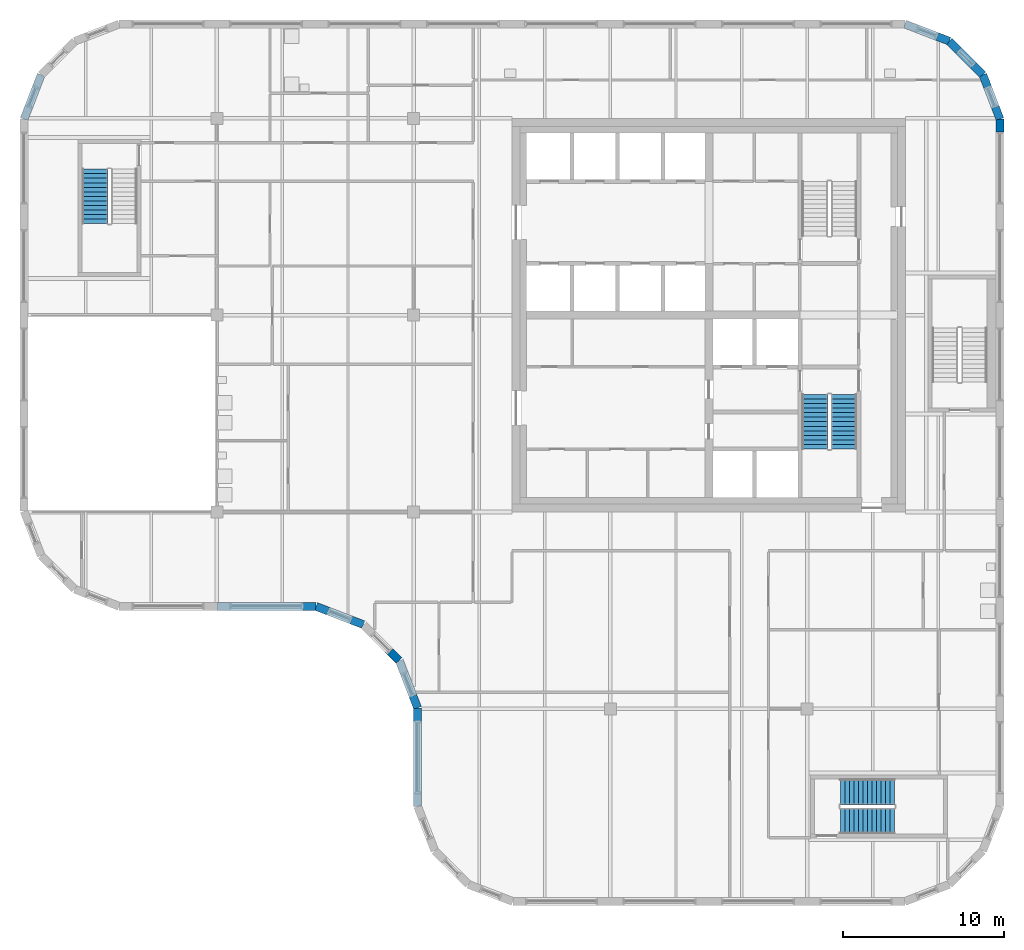
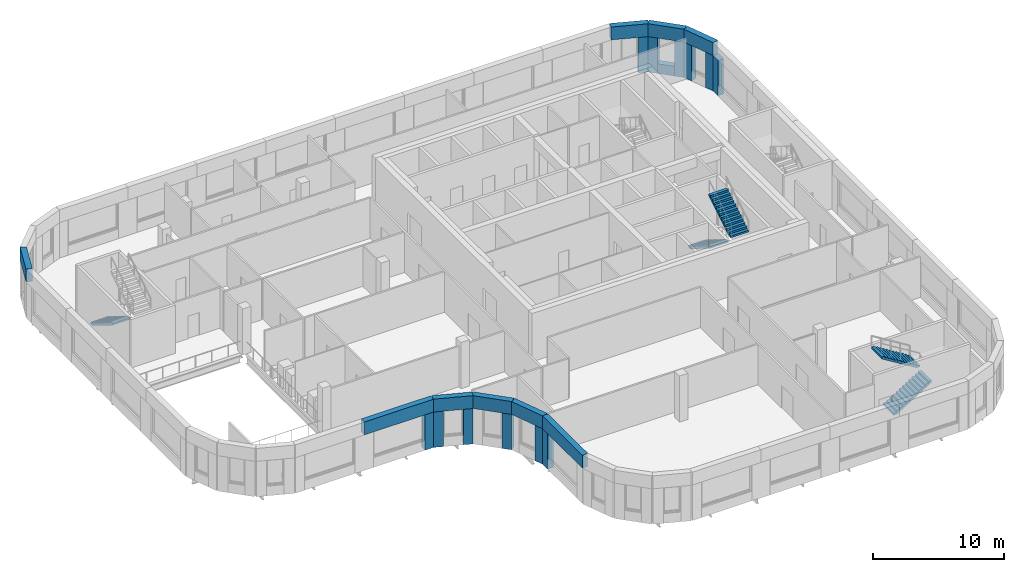
# One storey, part 17 of 21: 22 walls, 5 stair flights, 3 elements without a shape of their own.
"""IFC4 building model written with IfcOpenShell, lengths in metres."""

from ifc_helpers import new_model, si_unit, direction, frame, origin, place, context, subcontext, project, spatial, polyline, outline, extrude, faceted_brep, source, transform, mapped, material, layer, layer_set, type_object, element, aggregate, save


model = new_model("IFC4")

# Units and contexts
model_context = context("Model", 3, precision=1e-05, world=origin(), true_north=direction((0.0, 1.0)))
body_context = subcontext(model_context, "Body", "Model", "MODEL_VIEW")
ifc_project = project(units=[si_unit("LENGTHUNIT", "METRE"), si_unit("AREAUNIT", "SQUARE_METRE"), si_unit("VOLUMEUNIT", "CUBIC_METRE"), si_unit("PLANEANGLEUNIT", "RADIAN"), si_unit("MASSUNIT", "GRAM", prefix="KILO")], contexts=[model_context])

# Site, building, storey
site_placement = place(None, origin())
site = spatial("IfcSite", under=ifc_project, at=site_placement, CompositionType="ELEMENT")
building_placement = place(site_placement, origin())
building = spatial("IfcBuilding", under=site, at=building_placement, Name="Tessera Gate Towers", CompositionType="ELEMENT")
storey_placement = place(building_placement, frame((0.0, 0.0, 193.39990234375)))
storey = spatial("IfcBuildingStorey", under=building, at=storey_placement, Name="L48", CompositionType="ELEMENT", Elevation=193.39990234375)

# Walls
ifc_material_1 = material(Name="Precast concrete C60/75 white", Category="concrete")
ifc_layer = layer(ifc_material_1, 0.5)
ifc_layer_set = layer_set([ifc_layer], Name="RB1 ring band panel")
wall_type = type_object("IfcWallType", Name="RB1 ring band panel", PredefinedType="SOLIDWALL", material=ifc_layer_set)
shared_shape_1 = source(origin(), body_context, "Body", "Brep", [
    faceted_brep([(0.0, -0.25, 0.0), (0.800048828125, -0.25, 0.0), (0.800048828125, -0.25, 3.300048828125), (0.0, -0.25, 3.300048828125), (0.046630859375, 0.25, 3.300048828125), (0.800048828125, 0.25, 3.300048828125), (0.800048828125, 0.25, 0.0), (0.046630859375, 0.25, 0.0), (0.0, 0.0, 0.0), (0.0, 0.0, 3.300048828125)], [[[0, 1, 2, 3]], [[4, 5, 6, 7]], [[7, 6, 1, 0, 8]], [[5, 4, 9, 3, 2]], [[8, 0, 3, 9]], [[7, 8, 9, 4]], [[1, 6, 5, 2]]]),
])
wall_1_placement = place(storey_placement, frame((60.75, 48.75341796875, 0.0), z_axis=(0.0, 0.0, 1.0), x_axis=(-0.359735468129, 0.933054335486, 0.0)))
element("IfcWall", 1, at=wall_1_placement, inside=storey, type_object=wall_type, Name="Ring band panel T1 RB1-0302", PredefinedType="SOLIDWALL", context=body_context, shape_type="MappedRepresentation", body=[
    mapped(shared_shape_1, transform((0.0, 0.0, 0.0), scale=1.0)),
])
shared_shape_2 = source(origin(), body_context, "Body", "Brep", [
    faceted_brep([(0.0, -0.25, 0.0), (0.800048828125, -0.25, 0.0), (0.800048828125, -0.25, 3.300048828125), (0.0, -0.25, 3.300048828125), (0.0, 0.25, 3.300048828125), (0.75341796875, 0.25, 3.300048828125), (0.75341796875, 0.25, 0.0), (0.0, 0.25, 0.0), (0.800048828125, -0.000244140625, 0.0), (0.800048828125, -0.000244140625, 3.300048828125)], [[[0, 1, 2, 3]], [[4, 5, 6, 7]], [[7, 6, 8, 1, 0]], [[9, 2, 1, 8]], [[5, 4, 3, 2, 9]], [[4, 7, 0, 3]], [[8, 6, 5, 9]]]),
])
wall_2_placement = place(storey_placement, frame((60.75, 47.953369140625, 0.0), z_axis=(0.0, 0.0, 1.0), x_axis=(0.0, 1.0, 0.0)))
element("IfcWall", 2, at=wall_2_placement, inside=storey, type_object=wall_type, Name="Ring band panel T1 RB1-0287", PredefinedType="SOLIDWALL", context=body_context, shape_type="MappedRepresentation", body=[
    mapped(shared_shape_2, transform((0.0, 0.0, 0.0), scale=1.0)),
])
shared_shape_3 = source(origin(), body_context, "Body", "Brep", [
    faceted_brep([(0.0, -0.25, 0.0), (0.800048828125, -0.25, 0.0), (0.800048828125, -0.25, 3.300048828125), (0.0, -0.25, 3.300048828125), (0.0, 0.25, 3.300048828125), (0.7470703125, 0.25, 3.300048828125), (0.7470703125, 0.25, 0.0), (0.0, 0.25, 0.0), (0.800048828125, -0.000244140625, 0.0), (0.800048828125, -0.000244140625, 3.300048828125)], [[[0, 1, 2, 3]], [[4, 5, 6, 7]], [[7, 6, 8, 1, 0]], [[9, 2, 1, 8]], [[5, 4, 3, 2, 9]], [[4, 7, 0, 3]], [[8, 6, 5, 9]]]),
])
wall_3_placement = place(storey_placement, frame((58.171875, 53.0224609375, 0.0), z_axis=(0.0, 0.0, 1.0), x_axis=(-0.707106781187, 0.707106781187, 0.0)))
element("IfcWall", 3, at=wall_3_placement, inside=storey, type_object=wall_type, Name="Ring band panel T1 RB1-0307", PredefinedType="SOLIDWALL", context=body_context, shape_type="MappedRepresentation", body=[
    mapped(shared_shape_3, transform((0.0, 0.0, 0.0), scale=1.0)),
])
shared_shape_4 = source(origin(), body_context, "Body", "Brep", [
    faceted_brep([(0.0, -0.25, 0.0), (2.950439453125, -0.25, 0.0), (2.950439453125, -0.25, 1.199951171875), (0.0, -0.25, 1.199951171875), (0.046630859375, 0.25, 1.199951171875), (2.897705078125, 0.25, 1.199951171875), (2.897705078125, 0.25, 0.0), (0.046630859375, 0.25, 0.0), (2.950439453125, 0.00048828125, 0.0), (0.0, 0.0, 0.0), (2.950439453125, 0.00048828125, 1.199951171875), (0.0, 0.0, 1.199951171875)], [[[0, 1, 2, 3]], [[4, 5, 6, 7]], [[7, 6, 8, 1, 0, 9]], [[10, 2, 1, 8]], [[5, 4, 11, 3, 2, 10]], [[9, 0, 3, 11]], [[7, 9, 11, 4]], [[8, 6, 5, 10]]]),
])
wall_4_placement = place(storey_placement, frame((60.75, 48.75341796875, 3.300048828125), z_axis=(0.0, 0.0, 1.0), x_axis=(-0.359877213415, 0.932999673775, 0.0)))
element("IfcWall", 4, at=wall_4_placement, inside=storey, type_object=wall_type, Name="Ring band panel T1 RB1-0305", PredefinedType="SOLIDWALL", context=body_context, shape_type="MappedRepresentation", body=[
    mapped(shared_shape_4, transform((0.0, 0.0, 0.0), scale=1.0)),
])
shared_shape_5 = source(origin(), body_context, "Body", "Brep", [
    faceted_brep([(0.0, -0.25, 0.0), (0.800048828125, -0.25, 0.0), (0.800048828125, -0.25, 3.300048828125), (0.0, -0.25, 3.300048828125), (0.052978515625, 0.25, 3.300048828125), (0.800048828125, 0.25, 3.300048828125), (0.800048828125, 0.25, 0.0), (0.052978515625, 0.25, 0.0), (0.0, 0.0, 0.0), (0.0, 0.0, 3.300048828125)], [[[0, 1, 2, 3]], [[4, 5, 6, 7]], [[7, 6, 1, 0, 8]], [[5, 4, 9, 3, 2]], [[8, 0, 3, 9]], [[7, 8, 9, 4]], [[1, 6, 5, 2]]]),
])
wall_5_placement = place(storey_placement, frame((59.68798828125, 51.50634765625, 0.0), z_axis=(0.0, 0.0, 1.0), x_axis=(-0.707106781187, 0.707106781187, 0.0)))
element("IfcWall", 5, at=wall_5_placement, inside=storey, type_object=wall_type, Name="Ring band panel T1 RB1-0306", PredefinedType="SOLIDWALL", context=body_context, shape_type="MappedRepresentation", body=[
    mapped(shared_shape_5, transform((0.0, 0.0, 0.0), scale=1.0)),
])
shared_shape_6 = source(origin(), body_context, "Body", "SweptSolid", [
    extrude(outline(polyline([(0.0, 0.0), (1.34423828125, 0.0), (1.34423828125, 0.900146484375), (0.0, 0.900146484375), (0.0, 0.0)])), frame((0.0, 0.25, 0.0), z_axis=(0.0, -1.0, 0.0), x_axis=(1.0, 0.0, 0.0)), (0.0, 0.0, 1.0), 0.5),
])
wall_6_placement = place(storey_placement, frame((59.122314453125, 52.072021484375, 0.0), z_axis=(0.0, 0.0, 1.0), x_axis=(-0.707106781187, 0.707106781187, 0.0)))
element("IfcWall", 6, at=wall_6_placement, inside=storey, type_object=wall_type, Name="Ring band panel T1 RB1-0308", PredefinedType="SOLIDWALL", context=body_context, shape_type="MappedRepresentation", body=[
    mapped(shared_shape_6, transform((0.0, 0.0, 0.0), scale=1.0)),
])
shared_shape_7 = source(origin(), body_context, "Body", "Brep", [
    faceted_brep([(0.0, -0.25, 0.0), (2.944091796875, -0.25, 0.0), (2.944091796875, -0.25, 1.199951171875), (0.0, -0.25, 1.199951171875), (0.052978515625, 0.25, 1.199951171875), (2.89111328125, 0.25, 1.199951171875), (2.89111328125, 0.25, 0.0), (0.052978515625, 0.25, 0.0), (2.944091796875, 0.000244140625, 0.0), (0.0, 0.0, 0.0), (2.944091796875, 0.000244140625, 1.199951171875), (0.0, 0.0, 1.199951171875)], [[[0, 1, 2, 3]], [[4, 5, 6, 7]], [[7, 6, 8, 1, 0, 9]], [[10, 2, 1, 8]], [[5, 4, 11, 3, 2, 10]], [[9, 0, 3, 11]], [[7, 9, 11, 4]], [[8, 6, 5, 10]]]),
])
wall_7_placement = place(storey_placement, frame((59.68798828125, 51.50634765625, 3.300048828125), z_axis=(0.0, 0.0, 1.0), x_axis=(-0.707106781187, 0.707106781187, 0.0)))
element("IfcWall", 7, at=wall_7_placement, inside=storey, type_object=wall_type, Name="Ring band panel T1 RB1-0309", PredefinedType="SOLIDWALL", context=body_context, shape_type="MappedRepresentation", body=[
    mapped(shared_shape_7, transform((0.0, 0.0, 0.0), scale=1.0)),
])
shared_shape_8 = source(origin(), body_context, "Body", "Brep", [
    faceted_brep([(0.0, -0.25, 0.0), (2.950439453125, -0.25, 0.0), (2.950439453125, -0.25, 1.199951171875), (0.0, -0.25, 1.199951171875), (0.052978515625, 0.25, 1.199951171875), (2.904052734375, 0.25, 1.199951171875), (2.904052734375, 0.25, 0.0), (0.052978515625, 0.25, 0.0), (2.950439453125, 0.00048828125, 0.0), (0.0, 0.0, 0.0), (2.950439453125, 0.00048828125, 1.199951171875), (0.0, 0.0, 1.199951171875)], [[[0, 1, 2, 3]], [[4, 5, 6, 7]], [[7, 6, 8, 1, 0, 9]], [[10, 2, 1, 8]], [[5, 4, 11, 3, 2, 10]], [[9, 0, 3, 11]], [[7, 9, 11, 4]], [[8, 6, 5, 10]]]),
])
wall_8_placement = place(storey_placement, frame((57.606201171875, 53.588134765625, 3.300048828125), z_axis=(0.0, 0.0, 1.0), x_axis=(-0.932999673775, 0.359877213415, 0.0)))
element("IfcWall", 8, at=wall_8_placement, inside=storey, type_object=wall_type, Name="Ring band panel T1 RB1-0313", PredefinedType="SOLIDWALL", context=body_context, shape_type="MappedRepresentation", body=[
    mapped(shared_shape_8, transform((0.0, 0.0, 0.0), scale=1.0)),
])
shared_shape_9 = source(origin(), body_context, "Body", "Brep", [
    faceted_brep([(0.0, -0.25, 0.0), (0.800048828125, -0.25, 0.0), (0.800048828125, -0.25, 3.300048828125), (0.0, -0.25, 3.300048828125), (0.0, 0.25, 3.300048828125), (0.7470703125, 0.25, 3.300048828125), (0.7470703125, 0.25, 0.0), (0.0, 0.25, 0.0), (0.800048828125, -0.000244140625, 0.0), (0.800048828125, -0.000244140625, 3.300048828125)], [[[0, 1, 2, 3]], [[4, 5, 6, 7]], [[7, 6, 8, 1, 0]], [[9, 2, 1, 8]], [[5, 4, 3, 2, 9]], [[4, 7, 0, 3]], [[8, 6, 5, 9]]]),
])
wall_9_placement = place(storey_placement, frame((59.97607421875, 50.759765625, 0.0), z_axis=(0.0, 0.0, 1.0), x_axis=(-0.360001058183, 0.932951894851, 0.0)))
element("IfcWall", 9, at=wall_9_placement, inside=storey, type_object=wall_type, Name="Ring band panel T1 RB1-0303", PredefinedType="SOLIDWALL", context=body_context, shape_type="MappedRepresentation", body=[
    mapped(shared_shape_9, transform((0.0, 0.0, 0.0), scale=1.0)),
])
shared_shape_10 = source(origin(), body_context, "Body", "Brep", [
    faceted_brep([(0.0, -0.25, 0.0), (0.800048828125, -0.25, 0.0), (0.800048828125, -0.25, 3.300048828125), (0.0, -0.25, 3.300048828125), (0.052978515625, 0.25, 3.300048828125), (0.800048828125, 0.25, 3.300048828125), (0.800048828125, 0.25, 0.0), (0.052978515625, 0.25, 0.0), (0.0, 0.0, 0.0), (0.0, 0.0, 3.300048828125)], [[[0, 1, 2, 3]], [[4, 5, 6, 7]], [[7, 6, 1, 0, 8]], [[5, 4, 9, 3, 2]], [[8, 0, 3, 9]], [[7, 8, 9, 4]], [[1, 6, 5, 2]]]),
])
wall_10_placement = place(storey_placement, frame((57.606201171875, 53.588134765625, 0.0), z_axis=(0.0, 0.0, 1.0), x_axis=(-0.93301483327, 0.3598379092, 0.0)))
element("IfcWall", 10, at=wall_10_placement, inside=storey, type_object=wall_type, Name="Ring band panel T1 RB1-0310", PredefinedType="SOLIDWALL", context=body_context, shape_type="MappedRepresentation", body=[
    mapped(shared_shape_10, transform((0.0, 0.0, 0.0), scale=1.0)),
])
shared_shape_11 = source(origin(), body_context, "Body", "Brep", [
    faceted_brep([(0.0, -0.25, 0.0), (2.950439453125, -0.25, 0.0), (2.950439453125, -0.25, 1.199951171875), (0.0, -0.25, 1.199951171875), (0.052978515625, 0.25, 1.199951171875), (2.904052734375, 0.25, 1.199951171875), (2.904052734375, 0.25, 0.0), (0.052978515625, 0.25, 0.0), (2.950439453125, 0.00048828125, 0.0), (0.0, 0.0, 0.0), (2.950439453125, 0.00048828125, 1.199951171875), (0.0, 0.0, 1.199951171875)], [[[0, 1, 2, 3]], [[4, 5, 6, 7]], [[7, 6, 8, 1, 0, 9]], [[10, 2, 1, 8]], [[5, 4, 11, 3, 2, 10]], [[9, 0, 3, 11]], [[7, 9, 11, 4]], [[8, 6, 5, 10]]]),
])
wall_11_placement = place(storey_placement, frame((1.31201171875, 51.50634765625, 3.300048828125), z_axis=(0.0, 0.0, 1.0), x_axis=(-0.359921456299, -0.932982607178, 0.0)))
element("IfcWall", 11, at=wall_11_placement, inside=storey, type_object=wall_type, Name="Ring band panel T1 RB1-0350", PredefinedType="SOLIDWALL", context=body_context, shape_type="MappedRepresentation", body=[
    mapped(shared_shape_11, transform((0.0, 0.0, 0.0), scale=1.0)),
])
shared_shape_12 = source(origin(), body_context, "Body", "Brep", [
    faceted_brep([(0.0, -0.25, 0.0), (0.75341796875, -0.25, 0.0), (0.75341796875, -0.25, 3.300048828125), (0.0, -0.25, 3.300048828125), (0.0, 0.25, 3.300048828125), (0.800048828125, 0.25, 3.300048828125), (0.800048828125, 0.25, 0.0), (0.0, 0.25, 0.0), (0.800048828125, 0.000244140625, 0.0), (0.800048828125, 0.000244140625, 3.300048828125)], [[[0, 1, 2, 3]], [[4, 5, 6, 7]], [[7, 6, 8, 1, 0]], [[6, 5, 9, 8]], [[5, 4, 3, 2, 9]], [[4, 7, 0, 3]], [[1, 8, 9, 2]]]),
])
wall_12_placement = place(storey_placement, frame((17.546630859375, 18.550048828125, 0.0), z_axis=(0.0, 0.0, 1.0), x_axis=(1.0, 0.0, 0.0)))
element("IfcWall", 12, at=wall_12_placement, inside=storey, type_object=wall_type, Name="Ring band panel T1 RB1-0378", PredefinedType="SOLIDWALL", context=body_context, shape_type="MappedRepresentation", body=[
    mapped(shared_shape_12, transform((0.0, 0.0, 0.0), scale=1.0)),
])
shared_shape_13 = source(origin(), body_context, "Body", "Brep", [
    faceted_brep([(0.0, -0.25, 0.0), (6.10009765625, -0.25, 0.0), (6.10009765625, -0.25, 1.199951171875), (0.0, -0.25, 1.199951171875), (0.0, 0.25, 1.199951171875), (6.146484375, 0.25, 1.199951171875), (6.146484375, 0.25, 0.0), (0.0, 0.25, 0.0), (6.146484375, -0.000244140625, 0.0), (6.146484375, -0.000244140625, 1.199951171875)], [[[0, 1, 2, 3]], [[4, 5, 6, 7]], [[7, 6, 8, 1, 0]], [[6, 5, 9, 8]], [[5, 4, 3, 2, 9]], [[4, 7, 0, 3]], [[1, 8, 9, 2]]]),
])
wall_13_placement = place(storey_placement, frame((12.199951171875, 18.550048828125, 3.300048828125), z_axis=(0.0, 0.0, 1.0), x_axis=(1.0, 0.0, 0.0)))
element("IfcWall", 13, at=wall_13_placement, inside=storey, type_object=wall_type, Name="Ring band panel T1 RB1-0382", PredefinedType="SOLIDWALL", context=body_context, shape_type="MappedRepresentation", body=[
    mapped(shared_shape_13, transform((0.0, 0.0, 0.0), scale=1.0)),
])
shared_shape_14 = source(origin(), body_context, "Body", "Brep", [
    faceted_brep([(0.046630859375, -0.25, 0.0), (0.800048828125, -0.25, 0.0), (0.800048828125, -0.25, 3.300048828125), (0.046630859375, -0.25, 3.300048828125), (0.0, 0.25, 3.300048828125), (0.800048828125, 0.25, 3.300048828125), (0.800048828125, 0.25, 0.0), (0.0, 0.25, 0.0), (0.0, 0.0, 0.0), (0.0, 0.0, 3.300048828125)], [[[0, 1, 2, 3]], [[4, 5, 6, 7]], [[7, 6, 1, 0, 8]], [[5, 4, 9, 3, 2]], [[4, 7, 8, 9]], [[8, 0, 3, 9]], [[1, 6, 5, 2]]]),
])
wall_14_placement = place(storey_placement, frame((18.346435546875, 18.550048828125, 0.0), z_axis=(0.0, 0.0, 1.0), x_axis=(0.932951894851, -0.360001058183, 0.0)))
element("IfcWall", 14, at=wall_14_placement, inside=storey, type_object=wall_type, Name="Ring band panel T1 RB1-0383", PredefinedType="SOLIDWALL", context=body_context, shape_type="MappedRepresentation", body=[
    mapped(shared_shape_14, transform((0.0, 0.0, 0.0), scale=1.0)),
])
shared_shape_15 = source(origin(), body_context, "Body", "Brep", [
    faceted_brep([(0.0, -0.25, 0.0), (0.7470703125, -0.25, 0.0), (0.7470703125, -0.25, 3.300048828125), (0.0, -0.25, 3.300048828125), (0.0, 0.25, 3.300048828125), (0.800048828125, 0.25, 3.300048828125), (0.800048828125, 0.25, 0.0), (0.0, 0.25, 0.0), (0.800048828125, 0.000244140625, 0.0), (0.800048828125, 0.000244140625, 3.300048828125)], [[[0, 1, 2, 3]], [[4, 5, 6, 7]], [[7, 6, 8, 1, 0]], [[6, 5, 9, 8]], [[5, 4, 3, 2, 9]], [[4, 7, 0, 3]], [[1, 8, 9, 2]]]),
])
wall_15_placement = place(storey_placement, frame((20.53857421875, 17.704345703125, 0.0), z_axis=(0.0, 0.0, 1.0), x_axis=(0.93301483327, -0.3598379092, 0.0)))
element("IfcWall", 15, at=wall_15_placement, inside=storey, type_object=wall_type, Name="Ring band panel T1 RB1-0384", PredefinedType="SOLIDWALL", context=body_context, shape_type="MappedRepresentation", body=[
    mapped(shared_shape_15, transform((0.0, 0.0, 0.0), scale=1.0)),
])
shared_shape_16 = source(origin(), body_context, "Body", "Brep", [
    faceted_brep([(0.046630859375, -0.25, 0.0), (3.096435546875, -0.25, 0.0), (3.096435546875, -0.25, 1.199951171875), (0.046630859375, -0.25, 1.199951171875), (0.0, 0.25, 1.199951171875), (3.1494140625, 0.25, 1.199951171875), (3.1494140625, 0.25, 0.0), (0.0, 0.25, 0.0), (3.1494140625, -0.000244140625, 0.0), (0.0, 0.0, 0.0), (3.1494140625, -0.000244140625, 1.199951171875), (0.0, 0.0, 1.199951171875)], [[[0, 1, 2, 3]], [[4, 5, 6, 7]], [[7, 6, 8, 1, 0, 9]], [[6, 5, 10, 8]], [[5, 4, 11, 3, 2, 10]], [[4, 7, 9, 11]], [[9, 0, 3, 11]], [[1, 8, 10, 2]]]),
])
wall_16_placement = place(storey_placement, frame((18.346435546875, 18.550048828125, 3.300048828125), z_axis=(0.0, 0.0, 1.0), x_axis=(0.932987528699, -0.35990869855, 0.0)))
element("IfcWall", 16, at=wall_16_placement, inside=storey, type_object=wall_type, Name="Ring band panel T1 RB1-0386", PredefinedType="SOLIDWALL", context=body_context, shape_type="MappedRepresentation", body=[
    mapped(shared_shape_16, transform((0.0, 0.0, 0.0), scale=1.0)),
])
shared_shape_17 = source(origin(), body_context, "Body", "Brep", [
    faceted_brep([(0.0, -0.25, 0.0), (0.7470703125, -0.25, 0.0), (0.7470703125, -0.25, 3.300048828125), (0.0, -0.25, 3.300048828125), (0.0, 0.25, 3.300048828125), (0.800048828125, 0.25, 3.300048828125), (0.800048828125, 0.25, 0.0), (0.0, 0.25, 0.0), (0.800048828125, 0.000244140625, 0.0), (0.800048828125, 0.000244140625, 3.300048828125)], [[[0, 1, 2, 3]], [[4, 5, 6, 7]], [[7, 6, 8, 1, 0]], [[6, 5, 9, 8]], [[5, 4, 3, 2, 9]], [[4, 7, 0, 3]], [[1, 8, 9, 2]]]),
])
wall_17_placement = place(storey_placement, frame((22.950927734375, 15.750732421875, 0.0), z_axis=(0.0, 0.0, 1.0), x_axis=(0.707106781187, -0.707106781187, 0.0)))
element("IfcWall", 17, at=wall_17_placement, inside=storey, type_object=wall_type, Name="Ring band panel T1 RB1-0388", PredefinedType="SOLIDWALL", context=body_context, shape_type="MappedRepresentation", body=[
    mapped(shared_shape_17, transform((0.0, 0.0, 0.0), scale=1.0)),
])
shared_shape_18 = source(origin(), body_context, "Body", "Brep", [
    faceted_brep([(0.052978515625, -0.25, 0.0), (3.10302734375, -0.25, 0.0), (3.10302734375, -0.25, 1.199951171875), (0.052978515625, -0.25, 1.199951171875), (0.0, 0.25, 1.199951171875), (3.15576171875, 0.25, 1.199951171875), (3.15576171875, 0.25, 0.0), (0.0, 0.25, 0.0), (3.15576171875, -0.00048828125, 0.0), (0.0, 0.0, 0.0), (3.15576171875, -0.00048828125, 1.199951171875), (0.0, 0.0, 1.199951171875)], [[[0, 1, 2, 3]], [[4, 5, 6, 7]], [[7, 6, 8, 1, 0, 9]], [[6, 5, 10, 8]], [[5, 4, 11, 3, 2, 10]], [[4, 7, 9, 11]], [[9, 0, 3, 11]], [[1, 8, 10, 2]]]),
])
wall_18_placement = place(storey_placement, frame((21.284912109375, 17.41650390625, 3.300048828125), z_axis=(0.0, 0.0, 1.0), x_axis=(0.707106781187, -0.707106781187, 0.0)))
element("IfcWall", 18, at=wall_18_placement, inside=storey, type_object=wall_type, Name="Ring band panel T1 RB1-0390", PredefinedType="SOLIDWALL", context=body_context, shape_type="MappedRepresentation", body=[
    mapped(shared_shape_18, transform((0.0, 0.0, 0.0), scale=1.0)),
])
shared_shape_19 = source(origin(), body_context, "Body", "Brep", [
    faceted_brep([(0.0, -0.25, 0.0), (0.75341796875, -0.25, 0.0), (0.75341796875, -0.25, 3.300048828125), (0.0, -0.25, 3.300048828125), (0.0, 0.25, 3.300048828125), (0.800048828125, 0.25, 3.300048828125), (0.800048828125, 0.25, 0.0), (0.0, 0.25, 0.0), (0.800048828125, 0.000244140625, 0.0), (0.800048828125, 0.000244140625, 3.300048828125)], [[[0, 1, 2, 3]], [[4, 5, 6, 7]], [[7, 6, 8, 1, 0]], [[6, 5, 9, 8]], [[5, 4, 3, 2, 9]], [[4, 7, 0, 3]], [[1, 8, 9, 2]]]),
])
wall_19_placement = place(storey_placement, frame((24.362060546875, 12.992919921875, 0.0), z_axis=(0.0, 0.0, 1.0), x_axis=(0.3598379092, -0.93301483327, 0.0)))
element("IfcWall", 19, at=wall_19_placement, inside=storey, type_object=wall_type, Name="Ring band panel T1 RB1-0392", PredefinedType="SOLIDWALL", context=body_context, shape_type="MappedRepresentation", body=[
    mapped(shared_shape_19, transform((0.0, 0.0, 0.0), scale=1.0)),
])
shared_shape_20 = source(origin(), body_context, "Body", "Brep", [
    faceted_brep([(0.052978515625, -0.25, 0.0), (3.10302734375, -0.25, 0.0), (3.10302734375, -0.25, 1.199951171875), (0.052978515625, -0.25, 1.199951171875), (0.0, 0.25, 1.199951171875), (3.1494140625, 0.25, 1.199951171875), (3.1494140625, 0.25, 0.0), (0.0, 0.25, 0.0), (3.1494140625, -0.000244140625, 0.0), (0.0, 0.0, 0.0), (3.1494140625, -0.000244140625, 1.199951171875), (0.0, 0.0, 1.199951171875)], [[[0, 1, 2, 3]], [[4, 5, 6, 7]], [[7, 6, 8, 1, 0, 9]], [[6, 5, 10, 8]], [[5, 4, 11, 3, 2, 10]], [[4, 7, 9, 11]], [[9, 0, 3, 11]], [[1, 8, 10, 2]]]),
])
wall_20_placement = place(storey_placement, frame((23.5166015625, 15.18505859375, 3.300048828125), z_axis=(0.0, 0.0, 1.0), x_axis=(0.359841220347, -0.933013556246, 0.0)))
element("IfcWall", 20, at=wall_20_placement, inside=storey, type_object=wall_type, Name="Ring band panel T1 RB1-0394", PredefinedType="SOLIDWALL", context=body_context, shape_type="MappedRepresentation", body=[
    mapped(shared_shape_20, transform((0.0, 0.0, 0.0), scale=1.0)),
])
shared_shape_21 = source(origin(), body_context, "Body", "Brep", [
    faceted_brep([(0.046630859375, -0.25, 0.0), (0.800048828125, -0.25, 0.0), (0.800048828125, -0.25, 3.300048828125), (0.046630859375, -0.25, 3.300048828125), (0.0, 0.25, 3.300048828125), (0.800048828125, 0.25, 3.300048828125), (0.800048828125, 0.25, 0.0), (0.0, 0.25, 0.0), (0.0, 0.0, 0.0), (0.0, 0.0, 3.300048828125)], [[[0, 1, 2, 3]], [[4, 5, 6, 7]], [[7, 6, 1, 0, 8]], [[5, 4, 9, 3, 2]], [[4, 7, 8, 9]], [[8, 0, 3, 9]], [[1, 6, 5, 2]]]),
])
wall_21_placement = place(storey_placement, frame((24.64990234375, 12.24658203125, 0.0), z_axis=(0.0, 0.0, 1.0), x_axis=(0.0, -1.0, 0.0)))
element("IfcWall", 21, at=wall_21_placement, inside=storey, type_object=wall_type, Name="Ring band panel T1 RB1-0395", PredefinedType="SOLIDWALL", context=body_context, shape_type="MappedRepresentation", body=[
    mapped(shared_shape_21, transform((0.0, 0.0, 0.0), scale=1.0)),
])
shared_shape_22 = source(origin(), body_context, "Body", "Brep", [
    faceted_brep([(0.046630859375, -0.25, 0.0), (6.10009765625, -0.25, 0.0), (6.10009765625, -0.25, 1.199951171875), (0.046630859375, -0.25, 1.199951171875), (0.0, 0.25, 1.199951171875), (6.053466796875, 0.25, 1.199951171875), (6.053466796875, 0.25, 0.0), (0.0, 0.25, 0.0), (6.10009765625, -0.00048828125, 0.0), (0.0, 0.0, 0.0), (6.10009765625, -0.00048828125, 1.199951171875), (0.0, 0.0, 1.199951171875)], [[[0, 1, 2, 3]], [[4, 5, 6, 7]], [[7, 6, 8, 1, 0, 9]], [[10, 2, 1, 8]], [[5, 4, 11, 3, 2, 10]], [[4, 7, 9, 11]], [[9, 0, 3, 11]], [[8, 6, 5, 10]]]),
])
wall_22_placement = place(storey_placement, frame((24.64990234375, 12.24658203125, 3.300048828125), z_axis=(0.0, 0.0, 1.0), x_axis=(0.0, -1.0, 0.0)))
element("IfcWall", 22, at=wall_22_placement, inside=storey, type_object=wall_type, Name="Ring band panel T1 RB1-0398", PredefinedType="SOLIDWALL", context=body_context, shape_type="MappedRepresentation", body=[
    mapped(shared_shape_22, transform((0.0, 0.0, 0.0), scale=1.0)),
])

# Stair, stair flights
ifc_material_2 = material(Name="Concrete C40/50", Category="concrete")
stair_type_1 = type_object("IfcStairType", Name="EXIT STAIR ST1B 1600", PredefinedType="HALF_TURN_STAIR", material=ifc_material_2)
stair_1_placement = place(storey_placement, origin())
stair_1 = element("IfcStair", 23, at=stair_1_placement, inside=storey, type_object=stair_type_1, Name="L48 Protected Exit Stair ST1", PredefinedType="HALF_TURN_STAIR")
ifc_material_3 = material(Name="Concrete C40/50", Category="concrete")
stair_flight_type_1 = type_object("IfcStairFlightType", Name="EXIT STAIR FLIGHT ST1B 1600", PredefinedType="STRAIGHT", material=ifc_material_3)
stair_flight_1_placement = place(storey_placement, frame((49.27490234375, 31.675048828125, 0.0), z_axis=(0.0, 0.0, 1.0), x_axis=(0.0, -1.0, 0.0)))
stair_flight_1 = element("IfcStairFlight", 24, at=stair_flight_1_placement, type_object=stair_flight_type_1, Name="ST1 flight 1", NumberOfRisers=13, NumberOfTreads=12, PredefinedType="STRAIGHT", RiserHeight=0.173076923, TreadLength=0.28, context=body_context, shape_type="SweptSolid", body=[
    extrude(outline(polyline([(0.0, 0.0), (0.0, 0.173095703125), (0.280029296875, 0.173095703125), (0.280029296875, 0.34619140625), (0.56005859375, 0.34619140625), (0.56005859375, 0.519287109375), (0.840087890625, 0.519287109375), (0.840087890625, 0.6923828125), (1.1201171875, 0.6923828125), (1.1201171875, 0.865478515625), (1.39990234375, 0.865478515625), (1.39990234375, 1.03857421875), (1.679931640625, 1.03857421875), (1.679931640625, 1.21142578125), (1.9599609375, 1.21142578125), (1.9599609375, 1.384521484375), (2.239990234375, 1.384521484375), (2.239990234375, 1.5576171875), (2.52001953125, 1.5576171875), (2.52001953125, 1.730712890625), (2.800048828125, 1.730712890625), (2.800048828125, 1.90380859375), (3.080078125, 1.90380859375), (3.080078125, 2.076904296875), (3.360107421875, 2.076904296875), (3.360107421875, 2.25), (3.360107421875, 1.900634765625), (0.28515625, 0.0), (0.0, 0.0)])), frame((0.0, 0.800048828125, 0.0), z_axis=(0.0, -1.0, 0.0), x_axis=(1.0, 0.0, 0.0)), (0.0, 0.0, 1.0), 1.60009765625),
])
stair_flight_2_placement = place(storey_placement, frame((51.074951171875, 28.31494140625, 2.25), z_axis=(0.0, 0.0, 1.0), x_axis=(0.0, 1.0, 0.0)))
stair_flight_2 = element("IfcStairFlight", 25, at=stair_flight_2_placement, type_object=stair_flight_type_1, Name="ST1 flight 2", NumberOfRisers=13, NumberOfTreads=12, PredefinedType="STRAIGHT", RiserHeight=0.173076923, TreadLength=0.28, context=body_context, shape_type="SweptSolid", body=[
    extrude(outline(polyline([(0.0, 0.0), (0.0, 0.173095703125), (0.280029296875, 0.173095703125), (0.280029296875, 0.34619140625), (0.56005859375, 0.34619140625), (0.56005859375, 0.519287109375), (0.840087890625, 0.519287109375), (0.840087890625, 0.6923828125), (1.1201171875, 0.6923828125), (1.1201171875, 0.865478515625), (1.39990234375, 0.865478515625), (1.39990234375, 1.03857421875), (1.679931640625, 1.03857421875), (1.679931640625, 1.21142578125), (1.9599609375, 1.21142578125), (1.9599609375, 1.384521484375), (2.239990234375, 1.384521484375), (2.239990234375, 1.5576171875), (2.52001953125, 1.5576171875), (2.52001953125, 1.730712890625), (2.800048828125, 1.730712890625), (2.800048828125, 1.90380859375), (3.080078125, 1.90380859375), (3.080078125, 2.076904296875), (3.360107421875, 2.076904296875), (3.360107421875, 2.25), (3.360107421875, 1.900634765625), (0.28515625, 0.0), (0.0, 0.0)])), frame((0.0, 0.800048828125, 0.0), z_axis=(0.0, -1.0, 0.0), x_axis=(1.0, 0.0, 0.0)), (0.0, 0.0, 1.0), 1.60009765625),
])
aggregate(stair_1, [stair_flight_1, stair_flight_2])

# Stair, stair flight
ifc_material_4 = material(Name="Concrete C40/50", Category="concrete")
stair_type_2 = type_object("IfcStairType", Name="EXIT STAIR ST3B 1600", PredefinedType="HALF_TURN_STAIR", material=ifc_material_4)
stair_2_placement = place(storey_placement, origin())
stair_2 = element("IfcStair", 26, at=stair_2_placement, inside=storey, type_object=stair_type_2, Name="L48 West Exit Stair ST3", PredefinedType="HALF_TURN_STAIR")
ifc_material_5 = material(Name="Concrete C40/50", Category="concrete")
stair_flight_type_2 = type_object("IfcStairFlightType", Name="EXIT STAIR FLIGHT ST3B 1600", PredefinedType="STRAIGHT", material=ifc_material_5)
stair_flight_3_placement = place(storey_placement, frame((4.64990234375, 45.64990234375, 0.0), z_axis=(0.0, 0.0, 1.0), x_axis=(0.0, -1.0, 0.0)))
stair_flight_3 = element("IfcStairFlight", 27, at=stair_flight_3_placement, type_object=stair_flight_type_2, Name="ST3 flight 1", NumberOfRisers=13, NumberOfTreads=12, PredefinedType="STRAIGHT", RiserHeight=0.173076923, TreadLength=0.28, context=body_context, shape_type="SweptSolid", body=[
    extrude(outline(polyline([(0.0, 0.0), (0.0, 0.173095703125), (0.280029296875, 0.173095703125), (0.280029296875, 0.34619140625), (0.56005859375, 0.34619140625), (0.56005859375, 0.519287109375), (0.840087890625, 0.519287109375), (0.840087890625, 0.6923828125), (1.1201171875, 0.6923828125), (1.1201171875, 0.865478515625), (1.39990234375, 0.865478515625), (1.39990234375, 1.03857421875), (1.679931640625, 1.03857421875), (1.679931640625, 1.21142578125), (1.9599609375, 1.21142578125), (1.9599609375, 1.384521484375), (2.239990234375, 1.384521484375), (2.239990234375, 1.5576171875), (2.52001953125, 1.5576171875), (2.52001953125, 1.730712890625), (2.800048828125, 1.730712890625), (2.800048828125, 1.90380859375), (3.080078125, 1.90380859375), (3.080078125, 2.076904296875), (3.360107421875, 2.076904296875), (3.360107421875, 2.25), (3.360107421875, 1.900634765625), (0.28515625, 0.0), (0.0, 0.0)])), frame((0.0, 0.800048828125, 0.0), z_axis=(0.0, -1.0, 0.0), x_axis=(1.0, 0.0, 0.0)), (0.0, 0.0, 1.0), 1.60009765625),
])
aggregate(stair_2, [stair_flight_3])

# Stair, stair flights
ifc_material_6 = material(Name="Concrete C40/50", Category="concrete")
stair_type_3 = type_object("IfcStairType", Name="EXIT STAIR ST4B 1600", PredefinedType="HALF_TURN_STAIR", material=ifc_material_6)
stair_3_placement = place(storey_placement, origin())
stair_3 = element("IfcStair", 28, at=stair_3_placement, inside=storey, type_object=stair_type_3, Name="L48 South Exit Stair ST4", PredefinedType="HALF_TURN_STAIR")
ifc_material_7 = material(Name="Concrete C40/50", Category="concrete")
stair_flight_type_3 = type_object("IfcStairFlightType", Name="EXIT STAIR FLIGHT ST4B 1600", PredefinedType="STRAIGHT", material=ifc_material_7)
stair_flight_4_placement = place(storey_placement, frame((50.85009765625, 5.25, 0.0), z_axis=(0.0, 0.0, 1.0), x_axis=(1.0, 0.0, 0.0)))
stair_flight_4 = element("IfcStairFlight", 29, at=stair_flight_4_placement, type_object=stair_flight_type_3, Name="ST4 flight 1", NumberOfRisers=13, NumberOfTreads=12, PredefinedType="STRAIGHT", RiserHeight=0.173076923, TreadLength=0.28, context=body_context, shape_type="SweptSolid", body=[
    extrude(outline(polyline([(0.0, 0.0), (0.0, 0.173095703125), (0.280029296875, 0.173095703125), (0.280029296875, 0.34619140625), (0.56005859375, 0.34619140625), (0.56005859375, 0.519287109375), (0.840087890625, 0.519287109375), (0.840087890625, 0.6923828125), (1.1201171875, 0.6923828125), (1.1201171875, 0.865478515625), (1.39990234375, 0.865478515625), (1.39990234375, 1.03857421875), (1.679931640625, 1.03857421875), (1.679931640625, 1.21142578125), (1.9599609375, 1.21142578125), (1.9599609375, 1.384521484375), (2.239990234375, 1.384521484375), (2.239990234375, 1.5576171875), (2.52001953125, 1.5576171875), (2.52001953125, 1.730712890625), (2.800048828125, 1.730712890625), (2.800048828125, 1.90380859375), (3.080078125, 1.90380859375), (3.080078125, 2.076904296875), (3.360107421875, 2.076904296875), (3.360107421875, 2.25), (3.360107421875, 1.900634765625), (0.28515625, 0.0), (0.0, 0.0)])), frame((0.0, 0.800048828125, 0.0), z_axis=(0.0, -1.0, 0.0), x_axis=(1.0, 0.0, 0.0)), (0.0, 0.0, 1.0), 1.60009765625),
])
stair_flight_5_placement = place(storey_placement, frame((54.2099609375, 7.050048828125, 2.25), z_axis=(0.0, 0.0, 1.0), x_axis=(-1.0, 0.0, 0.0)))
stair_flight_5 = element("IfcStairFlight", 30, at=stair_flight_5_placement, type_object=stair_flight_type_3, Name="ST4 flight 2", NumberOfRisers=13, NumberOfTreads=12, PredefinedType="STRAIGHT", RiserHeight=0.173076923, TreadLength=0.28, context=body_context, shape_type="SweptSolid", body=[
    extrude(outline(polyline([(0.0, 0.0), (0.0, 0.173095703125), (0.280029296875, 0.173095703125), (0.280029296875, 0.34619140625), (0.56005859375, 0.34619140625), (0.56005859375, 0.519287109375), (0.840087890625, 0.519287109375), (0.840087890625, 0.6923828125), (1.1201171875, 0.6923828125), (1.1201171875, 0.865478515625), (1.39990234375, 0.865478515625), (1.39990234375, 1.03857421875), (1.679931640625, 1.03857421875), (1.679931640625, 1.21142578125), (1.9599609375, 1.21142578125), (1.9599609375, 1.384521484375), (2.239990234375, 1.384521484375), (2.239990234375, 1.5576171875), (2.52001953125, 1.5576171875), (2.52001953125, 1.730712890625), (2.800048828125, 1.730712890625), (2.800048828125, 1.90380859375), (3.080078125, 1.90380859375), (3.080078125, 2.076904296875), (3.360107421875, 2.076904296875), (3.360107421875, 2.25), (3.360107421875, 1.900634765625), (0.28515625, 0.0), (0.0, 0.0)])), frame((0.0, 0.800048828125, 0.0), z_axis=(0.0, -1.0, 0.0), x_axis=(1.0, 0.0, 0.0)), (0.0, 0.0, 1.0), 1.60009765625),
])
aggregate(stair_3, [stair_flight_4, stair_flight_5])

save(model, "model.ifc")
